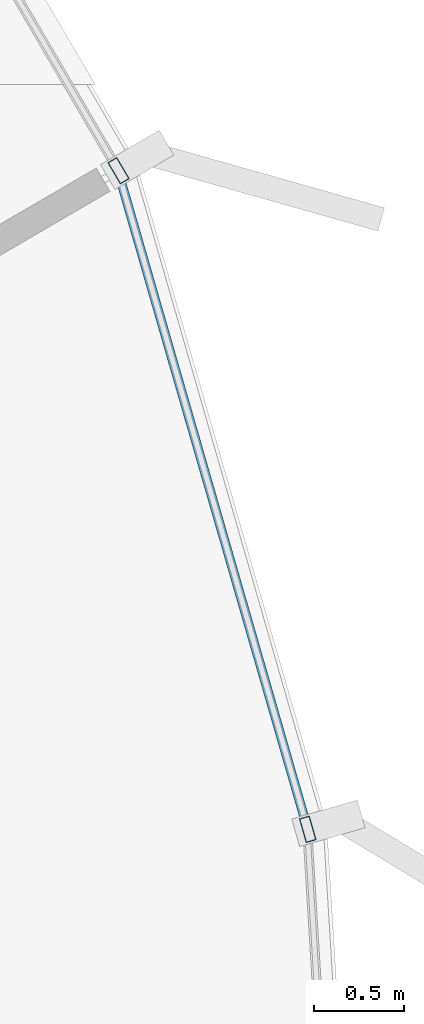
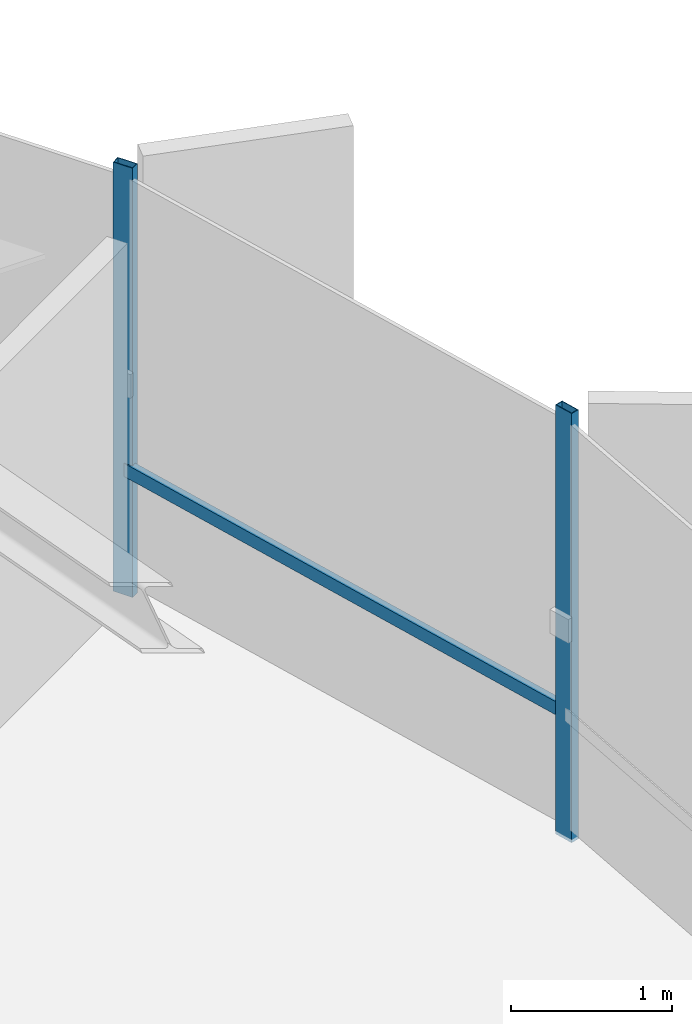
# One storey, part 27 of 34: 3 members, 1 element without a shape of its own.
"""IFC4 building model written with IfcOpenShell, lengths in metres."""

from ifc_helpers import new_model, si_unit, direction, frame, origin, origin_2d, place, context, subcontext, project, spatial, hollow_rectangle, extrude, source, transform, mapped, material, layer, layer_set, material_profile, profile_set, type_object, element, aggregate, save


model = new_model("IFC4")

# Units and contexts
model_context = context("Model", 3, precision=1e-05, world=origin(), true_north=direction((0.0, 1.0)))
body_context = subcontext(model_context, "Body", "Model", "MODEL_VIEW")
ifc_project = project(units=[si_unit("LENGTHUNIT", "METRE"), si_unit("AREAUNIT", "SQUARE_METRE"), si_unit("VOLUMEUNIT", "CUBIC_METRE"), si_unit("PLANEANGLEUNIT", "RADIAN"), si_unit("MASSUNIT", "GRAM", prefix="KILO"), si_unit("THERMODYNAMICTEMPERATUREUNIT", "KELVIN")], contexts=[model_context])

# Site, building, storey
site_placement = place(None, origin())
site = spatial("IfcSite", under=ifc_project, at=site_placement, CompositionType="ELEMENT")
building_placement = place(site_placement, origin())
building = spatial("IfcBuilding", under=site, at=building_placement, Name="Kethvar Cultural Tower", CompositionType="ELEMENT")
storey_placement = place(building_placement, frame((0.0, 0.0, 186.89990234375)))
storey = spatial("IfcBuildingStorey", under=building, at=storey_placement, Name="L48", CompositionType="ELEMENT", Elevation=186.89990234375)

# Curtain wall, members
ifc_material = material(Name="Aluminium 6063-T6", Category="aluminium")
ifc_layer = layer(ifc_material, 0.179931640625, Name="Aluminium 6063-T6", Category="aluminium")
ifc_layer_set = layer_set([ifc_layer], Name="Aluminium 6063-T6 (180 mm)")
curtain_wall_type = type_object("IfcCurtainWallType", Name="CW-SYS-04-Z34", PredefinedType="NOTDEFINED", material=ifc_layer_set)
curtain_wall_placement = place(storey_placement, origin())
curtain_wall = element("IfcCurtainWall", 1, at=curtain_wall_placement, inside=storey, type_object=curtain_wall_type, Name="L48 Curtain Wall Run 06", PredefinedType="NOTDEFINED")
ifc_material_profile_1 = material_profile(ifc_material, hollow_rectangle(XDim=0.06005859375, YDim=0.139892578125, WallThickness=0.0048828125, at=origin_2d()), Name="Aluminium 6063-T6 — RHS140x60x5")
ifc_profile_set_1 = profile_set([ifc_material_profile_1], Name="Aluminium 6063-T6 — RHS140x60x5")
member_type_1 = type_object("IfcMemberType", Name="CW-SYS-04-Z34-MUL", PredefinedType="MULLION", material=ifc_profile_set_1)
shared_shape_1 = source(origin(), body_context, "Body", "SweptSolid", [
    extrude(hollow_rectangle(XDim=0.06005859375, YDim=0.139892578125, WallThickness=0.0048828125, at=origin_2d()), origin(), (0.0, 0.0, 1.0), 3.260009765625),
])
member_1_placement = place(storey_placement, frame((71.981689453125, 38.20068359375, 0.0), z_axis=(0.0, 0.0, 1.0), x_axis=(-0.960880730751, -0.276962490731, 0.0)))
member_1 = element("IfcMember", 2, at=member_1_placement, type_object=member_type_1, Name="CW-L48-R06 Mullion 5", PredefinedType="MULLION", context=body_context, shape_type="MappedRepresentation", body=[
    mapped(shared_shape_1, transform((0.0, 0.0, 0.0), scale=1.0)),
])
member_2_placement = place(storey_placement, frame((70.927490234375, 41.87060546875, 0.0), z_axis=(0.0, 0.0, 1.0), x_axis=(-0.863157701709, -0.504934433349, 0.0)))
member_2 = element("IfcMember", 3, at=member_2_placement, type_object=member_type_1, Name="CW-L48-R06 Mullion 6", PredefinedType="MULLION", context=body_context, shape_type="MappedRepresentation", body=[
    mapped(shared_shape_1, transform((0.0, 0.0, 0.0), scale=1.0)),
])
ifc_material_profile_2 = material_profile(ifc_material, hollow_rectangle(XDim=0.050048828125, YDim=0.10009765625, WallThickness=0.00390625, at=origin_2d()), Name="Aluminium 6063-T6 — RHS100x50x4")
ifc_profile_set_2 = profile_set([ifc_material_profile_2], Name="Aluminium 6063-T6 — RHS100x50x4")
member_type_2 = type_object("IfcMemberType", Name="CW-SYS-04-Z34-TRN", PredefinedType="USERDEFINED", material=ifc_profile_set_2)
shared_shape_2 = source(origin(), body_context, "Body", "SweptSolid", [
    extrude(hollow_rectangle(XDim=0.050048828125, YDim=0.10009765625, WallThickness=0.00390625, at=origin_2d()), origin(), (0.0, 0.0, 1.0), 3.7587890625),
])
member_3_placement = place(storey_placement, frame((71.969482421875, 38.2421875, 0.9501953125), z_axis=(-0.276890808631, 0.960901389371, 0.0), x_axis=(-0.960901389371, -0.276890808631, 0.0)))
member_3 = element("IfcMember", 4, at=member_3_placement, type_object=member_type_2, Name="CW-L48-R06 Transom 5", ObjectType="TRANSOM", PredefinedType="USERDEFINED", context=body_context, shape_type="MappedRepresentation", body=[
    mapped(shared_shape_2, transform((0.0, 0.0, 0.0), scale=1.0)),
])
aggregate(curtain_wall, [member_1, member_2, member_3])

save(model, "model.ifc")
